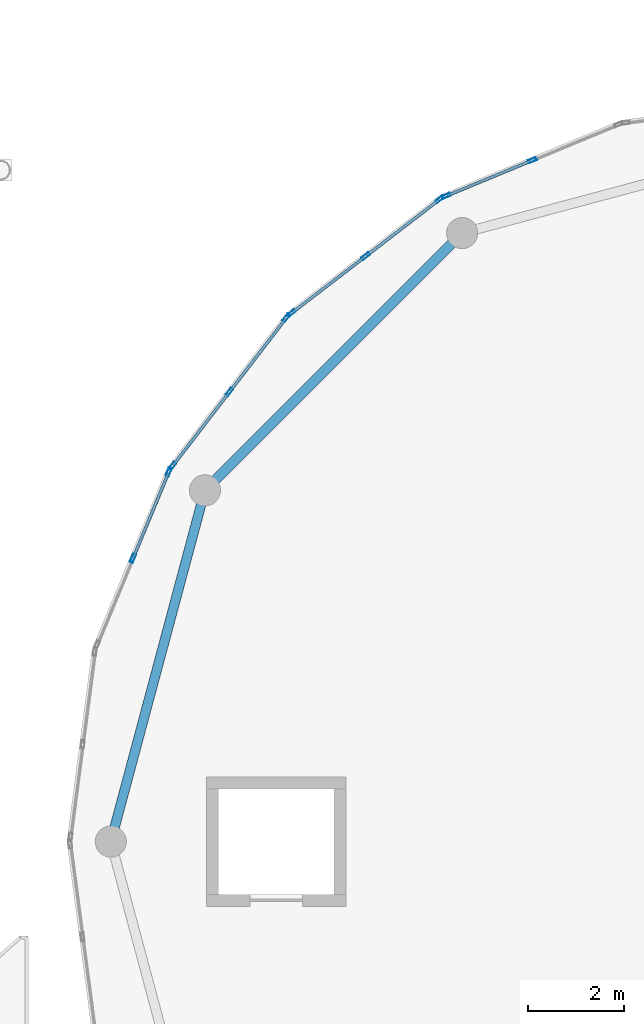
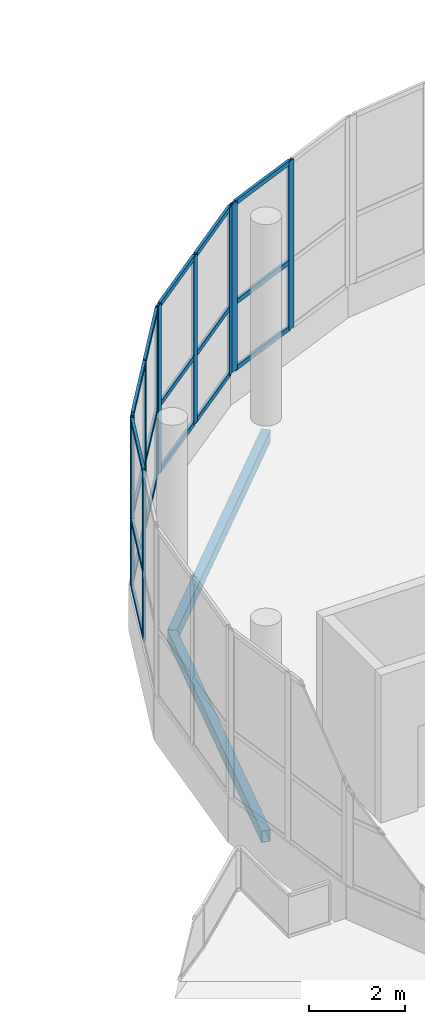
# One storey, part 10 of 101: 28 members, 2 beams, 4 elements without a shape of their own.
"""IFC4 building model written with IfcOpenShell, lengths in metres."""

from ifc_helpers import new_model, si_unit, direction, frame, origin, origin_2d, place, context, subcontext, project, spatial, hollow_rectangle, extrude, material, material_profile, profile_set, type_object, element, aggregate, save


model = new_model("IFC4")

# Units and contexts
model_context = context("Model", 3, precision=1e-05, world=origin(), true_north=direction((0.0, 1.0)))
body_context = subcontext(model_context, "Body", "Model", "MODEL_VIEW")
ifc_project = project(units=[si_unit("LENGTHUNIT", "METRE"), si_unit("AREAUNIT", "SQUARE_METRE"), si_unit("VOLUMEUNIT", "CUBIC_METRE"), si_unit("PLANEANGLEUNIT", "RADIAN"), si_unit("MASSUNIT", "GRAM", prefix="KILO")], contexts=[model_context])

# Site, building, storey
site_placement = place(None, origin())
site = spatial("IfcSite", under=ifc_project, at=site_placement, CompositionType="ELEMENT")
building_placement = place(site_placement, origin())
building = spatial("IfcBuilding", under=site, at=building_placement, Name="Selatvlak General Hospital", CompositionType="ELEMENT")
storey_placement = place(building_placement, frame((0.0, 0.0, 19.199951171875)))
storey = spatial("IfcBuildingStorey", under=building, at=storey_placement, Name="L04", CompositionType="ELEMENT", Elevation=19.199951171875)

# Beams
ifc_material_1 = material(Name="Steel S355", Category="steel")
ifc_material_profile_1 = material_profile(ifc_material_1, hollow_rectangle(XDim=0.199951171875, YDim=0.300048828125, WallThickness=0.011962890625, at=origin_2d()), Name="RHS 300x200x12")
ifc_profile_set_1 = profile_set([ifc_material_profile_1], Name="Steel S355")
beam_type = type_object("IfcBeamType", Name="BM-SP3", PredefinedType="SPANDREL", material=ifc_profile_set_1)
beam_1_placement = place(storey_placement, frame((90.675048828125, 66.68701171875, -0.454833984375), z_axis=(-0.707106781187, -0.707106781187, 0.0), x_axis=(0.707106781187, -0.707106781187, 0.0)))
element("IfcBeam", 1, at=beam_1_placement, inside=storey, type_object=beam_type, Name="Beam BMR-L04-1802", PredefinedType="SPANDREL", context=body_context, shape_type="SweptSolid", body=[
    extrude(hollow_rectangle(XDim=0.199951171875, YDim=0.300048828125, WallThickness=0.011962890625, at=origin_2d()), origin(), (0.0, 0.0, 1.0), 7.5830078125),
])
beam_2_placement = place(storey_placement, frame((85.31298828125, 61.324951171875, -0.454833984375), z_axis=(-0.25884068345, -0.965920028052, 0.0), x_axis=(0.965920028052, -0.25884068345, 0.0)))
element("IfcBeam", 2, at=beam_2_placement, inside=storey, type_object=beam_type, Name="Beam BMR-L04-1803", PredefinedType="SPANDREL", context=body_context, shape_type="SweptSolid", body=[
    extrude(hollow_rectangle(XDim=0.199951171875, YDim=0.300048828125, WallThickness=0.011962890625, at=origin_2d()), origin(), (0.0, 0.0, 1.0), 7.58349609375),
])

# Curtain wall, members
ifc_material_2 = material(Name="Solar-control Low-E double glazing", Category="glass")
curtain_wall_type_1 = type_object("IfcCurtainWallType", Name="CW-CW-05", PredefinedType="USERDEFINED", material=ifc_material_2)
curtain_wall_1_placement = place(storey_placement, origin())
curtain_wall_1 = element("IfcCurtainWall", 3, at=curtain_wall_1_placement, inside=storey, type_object=curtain_wall_type_1, Name="Glazed facade curtain wall CW-L04-0532", ObjectType="STICK GLAZING WALL", PredefinedType="USERDEFINED")
ifc_material_3 = material(Name="Dark anodised aluminium mullion", Category="aluminium")
ifc_material_profile_2 = material_profile(ifc_material_3, hollow_rectangle(XDim=0.06494140625, YDim=0.179931640625, WallThickness=0.00439453125, at=origin_2d()), Name="AL-MUL 65x180x4.5")
ifc_profile_set_2 = profile_set([ifc_material_profile_2], Name="Dark anodised aluminium mullion")
member_type_1 = type_object("IfcMemberType", Name="CWM-02", PredefinedType="MULLION", material=ifc_profile_set_2)
member_1_placement = place(storey_placement, frame((83.8115234375, 59.903076171875, 0.85009765625), z_axis=(0.0, 0.0, 1.0), x_axis=(-0.92394001164, 0.382537390187, 0.0)))
member_1 = element("IfcMember", 4, at=member_1_placement, type_object=member_type_1, Name="CW-05 mullion 2", PredefinedType="MULLION", context=body_context, shape_type="SweptSolid", body=[
    extrude(hollow_rectangle(XDim=0.06494140625, YDim=0.179931640625, WallThickness=0.00439453125, at=origin_2d()), origin(), (0.0, 0.0, 1.0), 4.300048828125),
])
member_2_placement = place(storey_placement, frame((84.5576171875, 61.705078125, 0.85009765625), z_axis=(0.0, 0.0, 1.0), x_axis=(-0.92394001164, 0.382537390187, 0.0)))
member_2 = element("IfcMember", 5, at=member_2_placement, type_object=member_type_1, Name="CW-05 mullion 3", PredefinedType="MULLION", context=body_context, shape_type="SweptSolid", body=[
    extrude(hollow_rectangle(XDim=0.06494140625, YDim=0.179931640625, WallThickness=0.00439453125, at=origin_2d()), origin(), (0.0, 0.0, 1.0), 4.300048828125),
])

curtain_wall_type_2 = type_object("IfcCurtainWallType", Name="CW-CW-04", PredefinedType="USERDEFINED", material=ifc_material_2)
curtain_wall_2_placement = place(storey_placement, origin())
curtain_wall_2 = element("IfcCurtainWall", 6, at=curtain_wall_2_placement, inside=storey, type_object=curtain_wall_type_2, Name="Glazed facade curtain wall CW-L04-0533", ObjectType="STICK GLAZING WALL", PredefinedType="USERDEFINED")
member_3_placement = place(storey_placement, frame((84.634765625, 61.82666015625, 0.85009765625), z_axis=(0.0, 0.0, 1.0), x_axis=(-0.793232853917, 0.608918417743, 0.0)))
member_3 = element("IfcMember", 7, at=member_3_placement, type_object=member_type_1, Name="CW-04 mullion 1", PredefinedType="MULLION", context=body_context, shape_type="SweptSolid", body=[
    extrude(hollow_rectangle(XDim=0.06494140625, YDim=0.179931640625, WallThickness=0.00439453125, at=origin_2d()), origin(), (0.0, 0.0, 1.0), 4.300048828125),
])
member_4_placement = place(storey_placement, frame((85.822509765625, 63.3740234375, 0.85009765625), z_axis=(0.0, 0.0, 1.0), x_axis=(-0.793232853917, 0.608918417743, 0.0)))
member_4 = element("IfcMember", 8, at=member_4_placement, type_object=member_type_1, Name="CW-04 mullion 2", PredefinedType="MULLION", context=body_context, shape_type="SweptSolid", body=[
    extrude(hollow_rectangle(XDim=0.06494140625, YDim=0.179931640625, WallThickness=0.00439453125, at=origin_2d()), origin(), (0.0, 0.0, 1.0), 4.300048828125),
])
member_5_placement = place(storey_placement, frame((87.01025390625, 64.921142578125, 0.85009765625), z_axis=(0.0, 0.0, 1.0), x_axis=(-0.793232853917, 0.608918417743, 0.0)))
member_5 = element("IfcMember", 9, at=member_5_placement, type_object=member_type_1, Name="CW-04 mullion 3", PredefinedType="MULLION", context=body_context, shape_type="SweptSolid", body=[
    extrude(hollow_rectangle(XDim=0.06494140625, YDim=0.179931640625, WallThickness=0.00439453125, at=origin_2d()), origin(), (0.0, 0.0, 1.0), 4.300048828125),
])

curtain_wall_3_placement = place(storey_placement, origin())
curtain_wall_3 = element("IfcCurtainWall", 10, at=curtain_wall_3_placement, inside=storey, type_object=curtain_wall_type_1, Name="Glazed facade curtain wall CW-L04-0534", ObjectType="STICK GLAZING WALL", PredefinedType="USERDEFINED")
member_6_placement = place(storey_placement, frame((87.11669921875, 65.017822265625, 0.85009765625), z_axis=(0.0, 0.0, 1.0), x_axis=(-0.608918417743, 0.793232853917, 0.0)))
member_6 = element("IfcMember", 11, at=member_6_placement, type_object=member_type_1, Name="CW-05 mullion 1", PredefinedType="MULLION", context=body_context, shape_type="SweptSolid", body=[
    extrude(hollow_rectangle(XDim=0.06494140625, YDim=0.179931640625, WallThickness=0.00439453125, at=origin_2d()), origin(), (0.0, 0.0, 1.0), 4.300048828125),
])
member_7_placement = place(storey_placement, frame((88.6640625, 66.20556640625, 0.85009765625), z_axis=(0.0, 0.0, 1.0), x_axis=(-0.608918417743, 0.793232853917, 0.0)))
member_7 = element("IfcMember", 12, at=member_7_placement, type_object=member_type_1, Name="CW-05 mullion 2", PredefinedType="MULLION", context=body_context, shape_type="SweptSolid", body=[
    extrude(hollow_rectangle(XDim=0.06494140625, YDim=0.179931640625, WallThickness=0.00439453125, at=origin_2d()), origin(), (0.0, 0.0, 1.0), 4.300048828125),
])
member_8_placement = place(storey_placement, frame((90.211181640625, 67.393310546875, 0.85009765625), z_axis=(0.0, 0.0, 1.0), x_axis=(-0.608918417743, 0.793232853917, 0.0)))
member_8 = element("IfcMember", 13, at=member_8_placement, type_object=member_type_1, Name="CW-05 mullion 3", PredefinedType="MULLION", context=body_context, shape_type="SweptSolid", body=[
    extrude(hollow_rectangle(XDim=0.06494140625, YDim=0.179931640625, WallThickness=0.00439453125, at=origin_2d()), origin(), (0.0, 0.0, 1.0), 4.300048828125),
])

curtain_wall_4_placement = place(storey_placement, origin())
curtain_wall_4 = element("IfcCurtainWall", 14, at=curtain_wall_4_placement, inside=storey, type_object=curtain_wall_type_2, Name="Glazed facade curtain wall CW-L04-0535", ObjectType="STICK GLAZING WALL", PredefinedType="USERDEFINED")
member_9_placement = place(storey_placement, frame((90.339111328125, 67.45947265625, 0.85009765625), z_axis=(0.0, 0.0, 1.0), x_axis=(-0.382752625243, 0.923850868847, 0.0)))
member_9 = element("IfcMember", 15, at=member_9_placement, type_object=member_type_1, Name="CW-04 mullion 1", PredefinedType="MULLION", context=body_context, shape_type="SweptSolid", body=[
    extrude(hollow_rectangle(XDim=0.06494140625, YDim=0.179931640625, WallThickness=0.00439453125, at=origin_2d()), origin(), (0.0, 0.0, 1.0), 4.300048828125),
])
member_10_placement = place(storey_placement, frame((92.14111328125, 68.2060546875, 0.85009765625), z_axis=(0.0, 0.0, 1.0), x_axis=(-0.382752625243, 0.923850868847, 0.0)))
member_10 = element("IfcMember", 16, at=member_10_placement, type_object=member_type_1, Name="CW-04 mullion 2", PredefinedType="MULLION", context=body_context, shape_type="SweptSolid", body=[
    extrude(hollow_rectangle(XDim=0.06494140625, YDim=0.179931640625, WallThickness=0.00439453125, at=origin_2d()), origin(), (0.0, 0.0, 1.0), 4.300048828125),
])

# Member
ifc_material_profile_3 = material_profile(ifc_material_3, hollow_rectangle(XDim=0.06494140625, YDim=0.1201171875, WallThickness=0.00390625, at=origin_2d()), Name="AL-TRN 65x120x4")
ifc_profile_set_3 = profile_set([ifc_material_profile_3], Name="Dark anodised aluminium mullion")
member_type_2 = type_object("IfcMemberType", Name="CWT-01", PredefinedType="USERDEFINED", material=ifc_profile_set_3)
member_11_placement = place(storey_placement, frame((83.823974609375, 59.93310546875, 0.882568359375), z_axis=(0.382527162335, 0.923944246195, 0.0), x_axis=(-0.923944246195, 0.382527162335, 0.0)))
member_11 = element("IfcMember", 17, at=member_11_placement, type_object=member_type_2, Name="CW-05 transom 2.1", ObjectType="TRANSOM", PredefinedType="USERDEFINED", context=body_context, shape_type="SweptSolid", body=[
    extrude(hollow_rectangle(XDim=0.06494140625, YDim=0.1201171875, WallThickness=0.00390625, at=origin_2d()), origin(), (0.0, 0.0, 1.0), 1.88525390625),
])

member_12_placement = place(storey_placement, frame((83.823974609375, 59.93310546875, 2.574951171875), z_axis=(0.382527162335, 0.923944246195, 0.0), x_axis=(-0.923944246195, 0.382527162335, 0.0)))
member_12 = element("IfcMember", 18, at=member_12_placement, type_object=member_type_2, Name="CW-05 transom 2.2", ObjectType="TRANSOM", PredefinedType="USERDEFINED", context=body_context, shape_type="SweptSolid", body=[
    extrude(hollow_rectangle(XDim=0.06494140625, YDim=0.1201171875, WallThickness=0.00390625, at=origin_2d()), origin(), (0.0, 0.0, 1.0), 1.88525390625),
])

member_13_placement = place(storey_placement, frame((83.823974609375, 59.93310546875, 5.117431640625), z_axis=(0.382527162335, 0.923944246195, 0.0), x_axis=(-0.923944246195, 0.382527162335, 0.0)))
member_13 = element("IfcMember", 19, at=member_13_placement, type_object=member_type_2, Name="CW-05 transom 2.3", ObjectType="TRANSOM", PredefinedType="USERDEFINED", context=body_context, shape_type="SweptSolid", body=[
    extrude(hollow_rectangle(XDim=0.06494140625, YDim=0.1201171875, WallThickness=0.00390625, at=origin_2d()), origin(), (0.0, 0.0, 1.0), 1.88525390625),
])

aggregate(curtain_wall_1, [member_1, member_2, member_11, member_12, member_13])

member_14_placement = place(storey_placement, frame((84.654541015625, 61.8525390625, 0.882568359375), z_axis=(0.608953326487, 0.793206055297, 0.0), x_axis=(-0.793206055297, 0.608953326487, 0.0)))
member_14 = element("IfcMember", 20, at=member_14_placement, type_object=member_type_2, Name="CW-04 transom 1.1", ObjectType="TRANSOM", PredefinedType="USERDEFINED", context=body_context, shape_type="SweptSolid", body=[
    extrude(hollow_rectangle(XDim=0.06494140625, YDim=0.1201171875, WallThickness=0.00390625, at=origin_2d()), origin(), (0.0, 0.0, 1.0), 1.885498046875),
])

member_15_placement = place(storey_placement, frame((84.654541015625, 61.8525390625, 2.574951171875), z_axis=(0.608953326487, 0.793206055297, 0.0), x_axis=(-0.793206055297, 0.608953326487, 0.0)))
member_15 = element("IfcMember", 21, at=member_15_placement, type_object=member_type_2, Name="CW-04 transom 1.2", ObjectType="TRANSOM", PredefinedType="USERDEFINED", context=body_context, shape_type="SweptSolid", body=[
    extrude(hollow_rectangle(XDim=0.06494140625, YDim=0.1201171875, WallThickness=0.00390625, at=origin_2d()), origin(), (0.0, 0.0, 1.0), 1.885498046875),
])

member_16_placement = place(storey_placement, frame((84.654541015625, 61.8525390625, 5.117431640625), z_axis=(0.608953326487, 0.793206055297, 0.0), x_axis=(-0.793206055297, 0.608953326487, 0.0)))
member_16 = element("IfcMember", 22, at=member_16_placement, type_object=member_type_2, Name="CW-04 transom 1.3", ObjectType="TRANSOM", PredefinedType="USERDEFINED", context=body_context, shape_type="SweptSolid", body=[
    extrude(hollow_rectangle(XDim=0.06494140625, YDim=0.1201171875, WallThickness=0.00390625, at=origin_2d()), origin(), (0.0, 0.0, 1.0), 1.885498046875),
])

member_17_placement = place(storey_placement, frame((85.84228515625, 63.399658203125, 0.882568359375), z_axis=(0.608890787968, 0.793254062913, 0.0), x_axis=(-0.793254062913, 0.608890787968, 0.0)))
member_17 = element("IfcMember", 23, at=member_17_placement, type_object=member_type_2, Name="CW-04 transom 2.1", ObjectType="TRANSOM", PredefinedType="USERDEFINED", context=body_context, shape_type="SweptSolid", body=[
    extrude(hollow_rectangle(XDim=0.06494140625, YDim=0.1201171875, WallThickness=0.00390625, at=origin_2d()), origin(), (0.0, 0.0, 1.0), 1.8857421875),
])

member_18_placement = place(storey_placement, frame((85.84228515625, 63.399658203125, 2.574951171875), z_axis=(0.608890787968, 0.793254062913, 0.0), x_axis=(-0.793254062913, 0.608890787968, 0.0)))
member_18 = element("IfcMember", 24, at=member_18_placement, type_object=member_type_2, Name="CW-04 transom 2.2", ObjectType="TRANSOM", PredefinedType="USERDEFINED", context=body_context, shape_type="SweptSolid", body=[
    extrude(hollow_rectangle(XDim=0.06494140625, YDim=0.1201171875, WallThickness=0.00390625, at=origin_2d()), origin(), (0.0, 0.0, 1.0), 1.8857421875),
])

member_19_placement = place(storey_placement, frame((85.84228515625, 63.399658203125, 5.117431640625), z_axis=(0.608890787968, 0.793254062913, 0.0), x_axis=(-0.793254062913, 0.608890787968, 0.0)))
member_19 = element("IfcMember", 25, at=member_19_placement, type_object=member_type_2, Name="CW-04 transom 2.3", ObjectType="TRANSOM", PredefinedType="USERDEFINED", context=body_context, shape_type="SweptSolid", body=[
    extrude(hollow_rectangle(XDim=0.06494140625, YDim=0.1201171875, WallThickness=0.00390625, at=origin_2d()), origin(), (0.0, 0.0, 1.0), 1.8857421875),
])

aggregate(curtain_wall_2, [member_3, member_4, member_5, member_14, member_15, member_16, member_17, member_18, member_19])

member_20_placement = place(storey_placement, frame((87.142578125, 65.03759765625, 0.882568359375), z_axis=(0.793206055297, 0.608953326487, 0.0), x_axis=(-0.608953326487, 0.793206055297, 0.0)))
member_20 = element("IfcMember", 26, at=member_20_placement, type_object=member_type_2, Name="CW-05 transom 1.1", ObjectType="TRANSOM", PredefinedType="USERDEFINED", context=body_context, shape_type="SweptSolid", body=[
    extrude(hollow_rectangle(XDim=0.06494140625, YDim=0.1201171875, WallThickness=0.00390625, at=origin_2d()), origin(), (0.0, 0.0, 1.0), 1.885498046875),
])

member_21_placement = place(storey_placement, frame((87.142578125, 65.03759765625, 2.574951171875), z_axis=(0.793206055297, 0.608953326487, 0.0), x_axis=(-0.608953326487, 0.793206055297, 0.0)))
member_21 = element("IfcMember", 27, at=member_21_placement, type_object=member_type_2, Name="CW-05 transom 1.2", ObjectType="TRANSOM", PredefinedType="USERDEFINED", context=body_context, shape_type="SweptSolid", body=[
    extrude(hollow_rectangle(XDim=0.06494140625, YDim=0.1201171875, WallThickness=0.00390625, at=origin_2d()), origin(), (0.0, 0.0, 1.0), 1.885498046875),
])

member_22_placement = place(storey_placement, frame((87.142578125, 65.03759765625, 5.117431640625), z_axis=(0.793206055297, 0.608953326487, 0.0), x_axis=(-0.608953326487, 0.793206055297, 0.0)))
member_22 = element("IfcMember", 28, at=member_22_placement, type_object=member_type_2, Name="CW-05 transom 1.3", ObjectType="TRANSOM", PredefinedType="USERDEFINED", context=body_context, shape_type="SweptSolid", body=[
    extrude(hollow_rectangle(XDim=0.06494140625, YDim=0.1201171875, WallThickness=0.00390625, at=origin_2d()), origin(), (0.0, 0.0, 1.0), 1.885498046875),
])

member_23_placement = place(storey_placement, frame((88.689697265625, 66.225341796875, 0.882568359375), z_axis=(0.793254062913, 0.608890787968, 0.0), x_axis=(-0.608890787968, 0.793254062913, 0.0)))
member_23 = element("IfcMember", 29, at=member_23_placement, type_object=member_type_2, Name="CW-05 transom 2.1", ObjectType="TRANSOM", PredefinedType="USERDEFINED", context=body_context, shape_type="SweptSolid", body=[
    extrude(hollow_rectangle(XDim=0.06494140625, YDim=0.1201171875, WallThickness=0.00390625, at=origin_2d()), origin(), (0.0, 0.0, 1.0), 1.8857421875),
])

member_24_placement = place(storey_placement, frame((88.689697265625, 66.225341796875, 2.574951171875), z_axis=(0.793254062913, 0.608890787968, 0.0), x_axis=(-0.608890787968, 0.793254062913, 0.0)))
member_24 = element("IfcMember", 30, at=member_24_placement, type_object=member_type_2, Name="CW-05 transom 2.2", ObjectType="TRANSOM", PredefinedType="USERDEFINED", context=body_context, shape_type="SweptSolid", body=[
    extrude(hollow_rectangle(XDim=0.06494140625, YDim=0.1201171875, WallThickness=0.00390625, at=origin_2d()), origin(), (0.0, 0.0, 1.0), 1.8857421875),
])

member_25_placement = place(storey_placement, frame((88.689697265625, 66.225341796875, 5.117431640625), z_axis=(0.793254062913, 0.608890787968, 0.0), x_axis=(-0.608890787968, 0.793254062913, 0.0)))
member_25 = element("IfcMember", 31, at=member_25_placement, type_object=member_type_2, Name="CW-05 transom 2.3", ObjectType="TRANSOM", PredefinedType="USERDEFINED", context=body_context, shape_type="SweptSolid", body=[
    extrude(hollow_rectangle(XDim=0.06494140625, YDim=0.1201171875, WallThickness=0.00390625, at=origin_2d()), origin(), (0.0, 0.0, 1.0), 1.8857421875),
])

aggregate(curtain_wall_3, [member_6, member_7, member_8, member_20, member_21, member_22, member_23, member_24, member_25])

member_26_placement = place(storey_placement, frame((90.369140625, 67.471923828125, 0.882568359375), z_axis=(0.92385269326, 0.382748221623, 0.0), x_axis=(-0.382748221623, 0.92385269326, 0.0)))
member_26 = element("IfcMember", 32, at=member_26_placement, type_object=member_type_2, Name="CW-04 transom 1.1", ObjectType="TRANSOM", PredefinedType="USERDEFINED", context=body_context, shape_type="SweptSolid", body=[
    extrude(hollow_rectangle(XDim=0.06494140625, YDim=0.1201171875, WallThickness=0.00390625, at=origin_2d()), origin(), (0.0, 0.0, 1.0), 1.885498046875),
])

member_27_placement = place(storey_placement, frame((90.369140625, 67.471923828125, 2.574951171875), z_axis=(0.92385269326, 0.382748221623, 0.0), x_axis=(-0.382748221623, 0.92385269326, 0.0)))
member_27 = element("IfcMember", 33, at=member_27_placement, type_object=member_type_2, Name="CW-04 transom 1.2", ObjectType="TRANSOM", PredefinedType="USERDEFINED", context=body_context, shape_type="SweptSolid", body=[
    extrude(hollow_rectangle(XDim=0.06494140625, YDim=0.1201171875, WallThickness=0.00390625, at=origin_2d()), origin(), (0.0, 0.0, 1.0), 1.885498046875),
])

member_28_placement = place(storey_placement, frame((90.369140625, 67.471923828125, 5.117431640625), z_axis=(0.92385269326, 0.382748221623, 0.0), x_axis=(-0.382748221623, 0.92385269326, 0.0)))
member_28 = element("IfcMember", 34, at=member_28_placement, type_object=member_type_2, Name="CW-04 transom 1.3", ObjectType="TRANSOM", PredefinedType="USERDEFINED", context=body_context, shape_type="SweptSolid", body=[
    extrude(hollow_rectangle(XDim=0.06494140625, YDim=0.1201171875, WallThickness=0.00390625, at=origin_2d()), origin(), (0.0, 0.0, 1.0), 1.885498046875),
])

aggregate(curtain_wall_4, [member_9, member_10, member_26, member_27, member_28])

save(model, "model.ifc")
